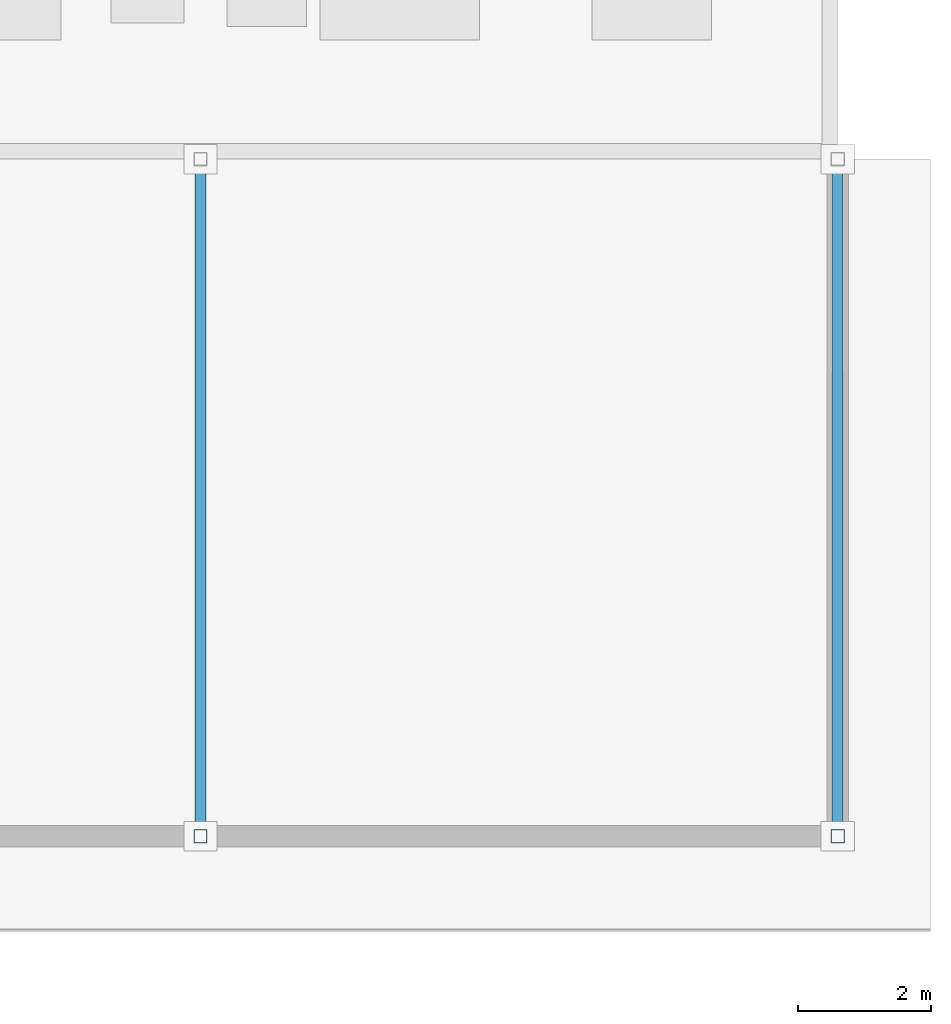
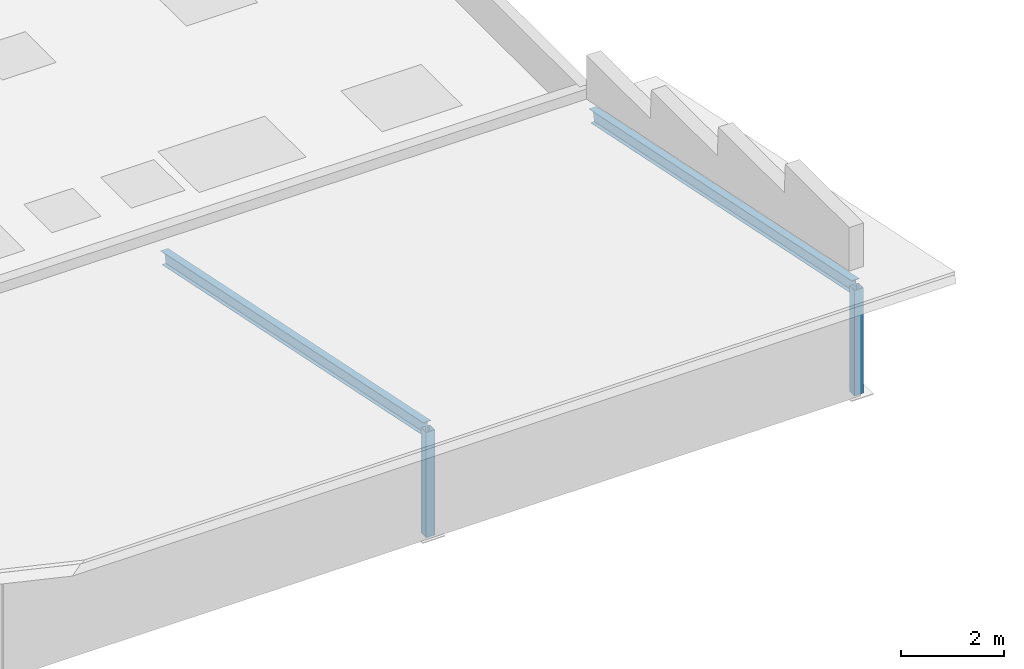
# One storey, part 121 of 200: 4 members.
"""IFC4 building model written with IfcOpenShell, lengths in metres."""

from ifc_helpers import new_model, si_unit, direction, frame, origin, origin_2d, place, context, subcontext, project, spatial, hollow_rectangle, i_section, extrude, material, material_profile, profile_set, type_object, element, save


model = new_model("IFC4")

# Units and contexts
model_context = context("Model", 3, precision=1e-05, world=origin(), true_north=direction((0.0, 1.0)))
body_context = subcontext(model_context, "Body", "Model", "MODEL_VIEW")
ifc_project = project(units=[si_unit("LENGTHUNIT", "METRE"), si_unit("AREAUNIT", "SQUARE_METRE"), si_unit("VOLUMEUNIT", "CUBIC_METRE"), si_unit("PLANEANGLEUNIT", "RADIAN"), si_unit("MASSUNIT", "GRAM", prefix="KILO")], contexts=[model_context])

# Site, building, storey
site_placement = place(None, origin())
site = spatial("IfcSite", under=ifc_project, at=site_placement, CompositionType="ELEMENT")
building_placement = place(site_placement, origin())
building = spatial("IfcBuilding", under=site, at=building_placement, Name="Vondelvale Polytechnic", CompositionType="ELEMENT")
storey_placement = place(building_placement, frame((0.0, 0.0, 13.800048828125)))
storey = spatial("IfcBuildingStorey", under=building, at=storey_placement, Name="L03", CompositionType="ELEMENT", Elevation=13.800048828125)

# Members
ifc_material_1 = material(Name="Steel 300PLUS (fy = 300 MPa)", Category="steel")
ifc_material_profile_1 = material_profile(ifc_material_1, i_section(OverallWidth=0.166015625, OverallDepth=0.306884765625, WebThickness=0.006591796875, FlangeThickness=0.01171875, FilletRadius=0.011474609375, at=origin_2d()), Name="310UB46.2")
ifc_profile_set_1 = profile_set([ifc_material_profile_1], Name="Steel 300PLUS (fy = 300 MPa)")
member_type_1 = type_object("IfcMemberType", Name="RAFTER UB310", PredefinedType="RAFTER", material=ifc_profile_set_1)
for number, where, z_axis, x_axis, name in (
    (1, (163.199951171875, 71.39990234375, 2.494140625), (0.0, 0.979265710903, -0.20258002727), (-1.0, 0.0, 0.0), "Refectory wing pitched roof rafter"),
    (2, (172.800048828125, 71.39990234375, 2.494140625), (0.0, 0.979265710903, -0.20258002727), (-1.0, 0.0, 0.0), "Refectory wing pitched roof rafter"),
):
    element("IfcMember", number, at=place(storey_placement, frame(where, z_axis=z_axis, x_axis=x_axis)), inside=storey, type_object=member_type_1, Name=name, PredefinedType="RAFTER", context=body_context, shape_type="SweptSolid", body=[
        extrude(i_section(OverallWidth=0.166015625, OverallDepth=0.306884765625, WebThickness=0.006591796875, FlangeThickness=0.01171875, FilletRadius=0.011474609375, at=origin_2d()), origin(), (0.0, 0.0, 1.0), 10.416259765625),
    ])
ifc_material_2 = material(Name="Steel C350L0 (fy = 350 MPa)", Category="steel")
ifc_material_profile_2 = material_profile(ifc_material_2, hollow_rectangle(XDim=0.199951171875, YDim=0.199951171875, WallThickness=0.009033203125, at=origin_2d()), Name="200x200x9.0SHS")
ifc_profile_set_2 = profile_set([ifc_material_profile_2], Name="Steel C350L0 (fy = 350 MPa)")
member_type_2 = type_object("IfcMemberType", Name="ROOF TRUSS POST 200SHS", PredefinedType="POST", material=ifc_profile_set_2)
for number, where, z_axis, x_axis, name in (
    (3, (163.199951171875, 71.39990234375, 0.0), (0.0, 0.0, 1.0), (1.0, 0.0, 0.0), "Refectory wing roof post"),
    (4, (172.800048828125, 71.39990234375, 0.0), (0.0, 0.0, 1.0), (1.0, 0.0, 0.0), "Refectory wing roof post"),
):
    element("IfcMember", number, at=place(storey_placement, frame(where, z_axis=z_axis, x_axis=x_axis)), inside=storey, type_object=member_type_2, Name=name, PredefinedType="POST", context=body_context, shape_type="SweptSolid", body=[
        extrude(hollow_rectangle(XDim=0.199951171875, YDim=0.199951171875, WallThickness=0.009033203125, at=origin_2d()), origin(), (0.0, 0.0, 1.0), 2.494140625),
    ])

save(model, "model.ifc")
